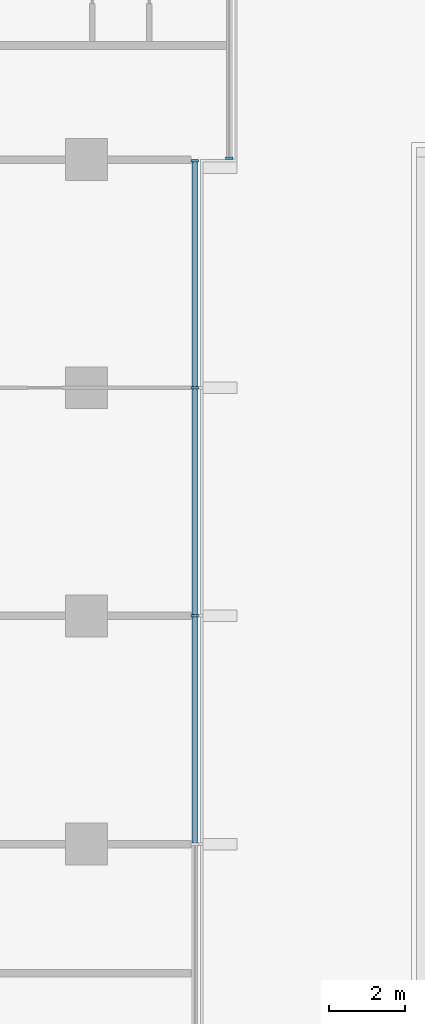
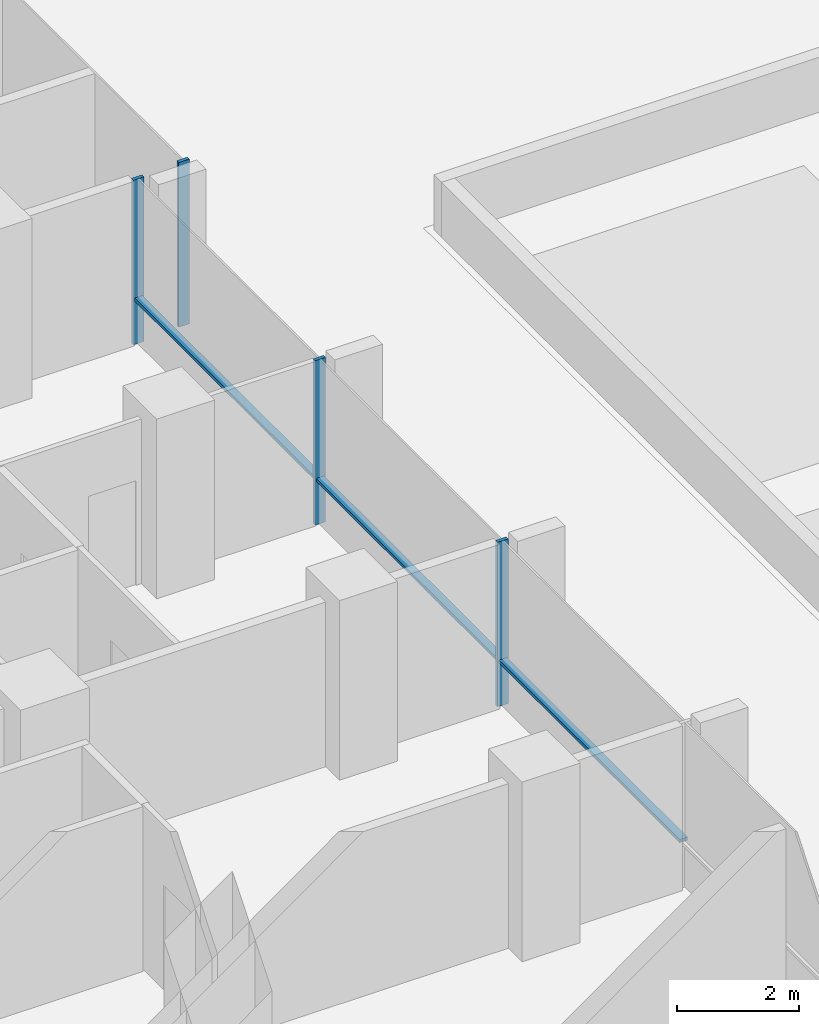
# One storey, part 5 of 25: 7 members, 2 elements without a shape of their own.
"""IFC4 building model written with IfcOpenShell, lengths in metres."""

from ifc_helpers import new_model, si_unit, direction, frame, origin, origin_2d, place, context, subcontext, project, spatial, rectangle, extrude, material, material_profile, profile_set, type_object, element, aggregate, save


model = new_model("IFC4")

# Units and contexts
model_context = context("Model", 3, precision=1e-05, world=origin(), true_north=direction((0.0, 1.0)))
body_context = subcontext(model_context, "Body", "Model", "MODEL_VIEW")
ifc_project = project(units=[si_unit("LENGTHUNIT", "METRE"), si_unit("AREAUNIT", "SQUARE_METRE"), si_unit("VOLUMEUNIT", "CUBIC_METRE"), si_unit("PLANEANGLEUNIT", "RADIAN"), si_unit("MASSUNIT", "GRAM", prefix="KILO")], contexts=[model_context])

# Site, building, storey
site_placement = place(None, origin())
site = spatial("IfcSite", under=ifc_project, at=site_placement, CompositionType="ELEMENT")
building_placement = place(site_placement, origin())
building = spatial("IfcBuilding", under=site, at=building_placement, Name="Finial Court Residences", CompositionType="ELEMENT")
storey_placement = place(building_placement, frame((0.0, 0.0, 32.5)))
storey = spatial("IfcBuildingStorey", under=building, at=storey_placement, Name="L06", CompositionType="ELEMENT", Elevation=32.5)

# Curtain wall, members
ifc_material = material(Name="Bronze anodised aluminium", Category="aluminium")
curtain_wall_type = type_object("IfcCurtainWallType", Name="Unitised curtain wall, lower and middle zones", PredefinedType="NOTDEFINED", material=ifc_material)
curtain_wall_1_placement = place(storey_placement, origin())
curtain_wall_1 = element("IfcCurtainWall", 1, at=curtain_wall_1_placement, inside=storey, type_object=curtain_wall_type, Name="E-L06-CW-E4", PredefinedType="NOTDEFINED")
ifc_material_profile_1 = material_profile(ifc_material, rectangle(XDim=0.199951171875, YDim=0.06494140625, at=origin_2d()), Name="CW1 mullion 65 x 200")
ifc_profile_set_1 = profile_set([ifc_material_profile_1], Name="Bronze anodised aluminium")
member_type_1 = type_object("IfcMemberType", Name="CW1 mullion 65 x 200", PredefinedType="MULLION", material=ifc_profile_set_1)
member_1_placement = place(storey_placement, frame((25.35009765625, 1.5, 0.0), z_axis=(0.0, 0.0, 1.0), x_axis=(-1.0, 0.0, 0.0)))
member_1 = element("IfcMember", 2, at=member_1_placement, type_object=member_type_1, Name="CW1 mullion 3", PredefinedType="MULLION", context=body_context, shape_type="SweptSolid", body=[
    extrude(rectangle(XDim=0.199951171875, YDim=0.06494140625, at=origin_2d()), origin(), (0.0, 0.0, 1.0), 3.300048828125),
])
member_2_placement = place(storey_placement, frame((25.35009765625, 7.5, 0.0), z_axis=(0.0, 0.0, 1.0), x_axis=(-1.0, 0.0, 0.0)))
member_2 = element("IfcMember", 3, at=member_2_placement, type_object=member_type_1, Name="CW1 mullion 4", PredefinedType="MULLION", context=body_context, shape_type="SweptSolid", body=[
    extrude(rectangle(XDim=0.199951171875, YDim=0.06494140625, at=origin_2d()), origin(), (0.0, 0.0, 1.0), 3.300048828125),
])
member_3_placement = place(storey_placement, frame((25.35009765625, 13.467529296875, 0.0), z_axis=(0.0, 0.0, 1.0), x_axis=(-1.0, 0.0, 0.0)))
member_3 = element("IfcMember", 4, at=member_3_placement, type_object=member_type_1, Name="CW1 mullion 5", PredefinedType="MULLION", context=body_context, shape_type="SweptSolid", body=[
    extrude(rectangle(XDim=0.199951171875, YDim=0.06494140625, at=origin_2d()), origin(), (0.0, 0.0, 1.0), 3.300048828125),
])

# Curtain wall, member
curtain_wall_2_placement = place(storey_placement, origin())
curtain_wall_2 = element("IfcCurtainWall", 5, at=curtain_wall_2_placement, inside=storey, type_object=curtain_wall_type, Name="E-L06-CW-E5", PredefinedType="NOTDEFINED")
member_4_placement = place(storey_placement, frame((26.25, 13.532470703125, 0.0), z_axis=(0.0, 0.0, 1.0), x_axis=(-1.0, 0.0, 0.0)))
member_4 = element("IfcMember", 6, at=member_4_placement, type_object=member_type_1, Name="CW1 mullion 1", PredefinedType="MULLION", context=body_context, shape_type="SweptSolid", body=[
    extrude(rectangle(XDim=0.199951171875, YDim=0.06494140625, at=origin_2d()), origin(), (0.0, 0.0, 1.0), 3.300048828125),
])
aggregate(curtain_wall_2, [member_4])

# Member
ifc_material_profile_2 = material_profile(ifc_material, rectangle(XDim=0.14990234375, YDim=0.06494140625, at=origin_2d()), Name="CW1 transom 65 x 150")
ifc_profile_set_2 = profile_set([ifc_material_profile_2], Name="Bronze anodised aluminium")
member_type_2 = type_object("IfcMemberType", Name="CW1 transom 65 x 150", PredefinedType="USERDEFINED", material=ifc_profile_set_2)
member_5_placement = place(storey_placement, frame((25.35009765625, -4.467529296875, 0.89990234375), z_axis=(0.0, 1.0, 0.0), x_axis=(-1.0, 0.0, 0.0)))
member_5 = element("IfcMember", 7, at=member_5_placement, type_object=member_type_2, Name="CW1 transom 2.1", ObjectType="TRANSOM", PredefinedType="USERDEFINED", context=body_context, shape_type="SweptSolid", body=[
    extrude(rectangle(XDim=0.14990234375, YDim=0.06494140625, at=origin_2d()), origin(), (0.0, 0.0, 1.0), 5.93505859375),
])

member_6_placement = place(storey_placement, frame((25.35009765625, 1.532470703125, 0.89990234375), z_axis=(0.0, 1.0, 0.0), x_axis=(-1.0, 0.0, 0.0)))
member_6 = element("IfcMember", 8, at=member_6_placement, type_object=member_type_2, Name="CW1 transom 3.1", ObjectType="TRANSOM", PredefinedType="USERDEFINED", context=body_context, shape_type="SweptSolid", body=[
    extrude(rectangle(XDim=0.14990234375, YDim=0.06494140625, at=origin_2d()), origin(), (0.0, 0.0, 1.0), 5.93505859375),
])

member_7_placement = place(storey_placement, frame((25.35009765625, 7.532470703125, 0.89990234375), z_axis=(0.0, 1.0, 0.0), x_axis=(-1.0, 0.0, 0.0)))
member_7 = element("IfcMember", 9, at=member_7_placement, type_object=member_type_2, Name="CW1 transom 4.1", ObjectType="TRANSOM", PredefinedType="USERDEFINED", context=body_context, shape_type="SweptSolid", body=[
    extrude(rectangle(XDim=0.14990234375, YDim=0.06494140625, at=origin_2d()), origin(), (0.0, 0.0, 1.0), 5.902587890625),
])

aggregate(curtain_wall_1, [member_1, member_2, member_3, member_5, member_6, member_7])

save(model, "model.ifc")
